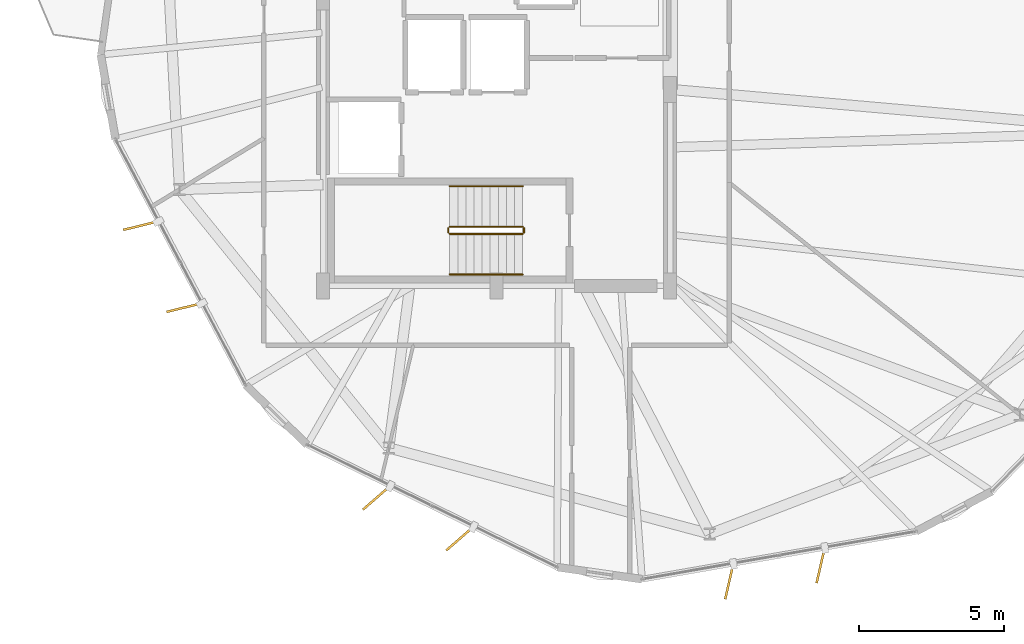
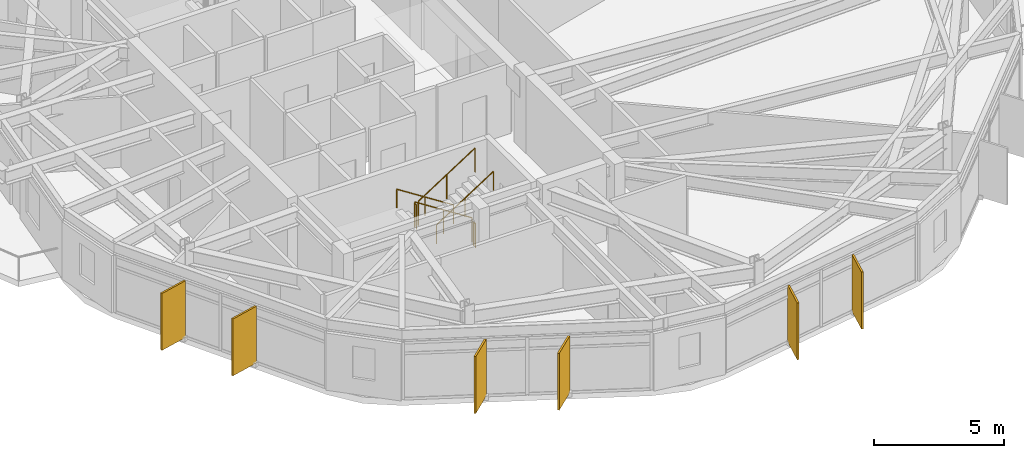
# One storey, part 26 of 28: 6 railings, 6 shading devices.
"""IFC4 building model written with IfcOpenShell, lengths in metres."""

from ifc_helpers import new_model, si_unit, direction, frame, origin, origin_2d, place, context, subcontext, project, spatial, rectangle, circle, extrude, material, layer, layer_set, type_object, element, save


model = new_model("IFC4")

# Units and contexts
model_context = context("Model", 3, precision=1e-05, world=origin(), true_north=direction((0.0, 1.0)))
body_context = subcontext(model_context, "Body", "Model", "MODEL_VIEW")
ifc_project = project(units=[si_unit("LENGTHUNIT", "METRE"), si_unit("AREAUNIT", "SQUARE_METRE"), si_unit("VOLUMEUNIT", "CUBIC_METRE"), si_unit("PLANEANGLEUNIT", "RADIAN"), si_unit("MASSUNIT", "GRAM", prefix="KILO")], contexts=[model_context])

# Site, building, storey
site_placement = place(None, origin())
site = spatial("IfcSite", under=ifc_project, at=site_placement, CompositionType="ELEMENT")
building_placement = place(site_placement, origin())
building = spatial("IfcBuilding", under=site, at=building_placement, Name="Soratama Intermodal Tower", CompositionType="ELEMENT")
storey_placement = place(building_placement, frame((0.0, 0.0, 201.39990234375)))
storey = spatial("IfcBuildingStorey", under=building, at=storey_placement, Name="L50", CompositionType="ELEMENT", Elevation=201.39990234375)

# Railings
ifc_material_1 = material(Name="Painted steel stair guardrail", Category="steel")
railing_type_1 = type_object("IfcRailingType", Name="RL-STAIR-GUARD", PredefinedType="GUARDRAIL", material=ifc_material_1)
railing_1_placement = place(storey_placement, frame((39.5, 17.050048828125, 0.18017578125)))
element("IfcRailing", 1, at=railing_1_placement, inside=storey, type_object=railing_type_1, Name="L50 ST-1 stair guard 1", PredefinedType="GUARDRAIL", context=body_context, shape_type="SweptSolid", body=[
    extrude(circle(Radius=0.02392578125, at=origin_2d()), frame((0.0, 0.0, 1.1259765625), z_axis=(-0.841199657755, 0.0, 0.540724639528), x_axis=(0.0, -1.0, 0.0)), (0.0, 0.0, 1.0), 2.995849609375),
    extrude(circle(Radius=0.02099609375, at=origin_2d()), origin(), (0.0, 0.0, 1.0), 1.101806640625),
    extrude(circle(Radius=0.02099609375, at=origin_2d()), frame((-1.260009765625, 0.0, 0.81005859375)), (0.0, 0.0, 1.0), 1.101806640625),
    extrude(circle(Radius=0.02099609375, at=origin_2d()), frame((-2.52001953125, 0.0, 1.619873046875)), (0.0, 0.0, 1.0), 1.101806640625),
])
railing_2_placement = place(storey_placement, frame((36.929931640625, 17.0, 1.800048828125)))
element("IfcRailing", 2, at=railing_2_placement, inside=storey, type_object=railing_type_1, Name="L50 ST-1 stair guard 2", PredefinedType="GUARDRAIL", context=body_context, shape_type="SweptSolid", body=[
    extrude(circle(Radius=0.02392578125, at=origin_2d()), frame((0.0, 0.0, 1.1259765625), z_axis=(0.0, -1.0, 0.0), x_axis=(1.0, 0.0, 0.0)), (0.0, 0.0, 1.0), 0.14990234375),
    extrude(circle(Radius=0.02099609375, at=origin_2d()), origin(), (0.0, 0.0, 1.0), 1.101806640625),
    extrude(circle(Radius=0.02099609375, at=origin_2d()), frame((0.0, -0.14990234375, 0.0)), (0.0, 0.0, 1.0), 1.101806640625),
])
railing_3_placement = place(storey_placement, frame((36.97998046875, 16.800048828125, 1.97998046875)))
element("IfcRailing", 3, at=railing_3_placement, inside=storey, type_object=railing_type_1, Name="L50 ST-1 stair guard 3", PredefinedType="GUARDRAIL", context=body_context, shape_type="SweptSolid", body=[
    extrude(circle(Radius=0.02392578125, at=origin_2d()), frame((0.0, 0.0, 1.1259765625), z_axis=(0.841162588446, 0.0, 0.540782303519), x_axis=(0.0, 1.0, 0.0)), (0.0, 0.0, 1.0), 2.995849609375),
    extrude(circle(Radius=0.02099609375, at=origin_2d()), origin(), (0.0, 0.0, 1.0), 1.101806640625),
    extrude(circle(Radius=0.02099609375, at=origin_2d()), frame((1.260009765625, 0.0, 0.81005859375)), (0.0, 0.0, 1.0), 1.101806640625),
    extrude(circle(Radius=0.02099609375, at=origin_2d()), frame((2.52001953125, 0.0, 1.6201171875)), (0.0, 0.0, 1.0), 1.101806640625),
])
railing_4_placement = place(storey_placement, frame((39.550048828125, 17.0, 0.0)))
element("IfcRailing", 4, at=railing_4_placement, inside=storey, type_object=railing_type_1, Name="L50 ST-1 stair guard 4", PredefinedType="GUARDRAIL", context=body_context, shape_type="SweptSolid", body=[
    extrude(circle(Radius=0.02392578125, at=origin_2d()), frame((0.0, 0.0, 1.1259765625), z_axis=(0.0, -1.0, 0.0), x_axis=(1.0, 0.0, 0.0)), (0.0, 0.0, 1.0), 0.14990234375),
    extrude(circle(Radius=0.02099609375, at=origin_2d()), origin(), (0.0, 0.0, 1.0), 1.101806640625),
    extrude(circle(Radius=0.02099609375, at=origin_2d()), frame((0.0, -0.14990234375, 0.0)), (0.0, 0.0, 1.0), 1.101806640625),
])
ifc_material_2 = material(Name="Brushed stainless steel handrail", Category="steel")
railing_type_2 = type_object("IfcRailingType", Name="RL-STAIR-HAND", PredefinedType="HANDRAIL", material=ifc_material_2)
railing_5_placement = place(storey_placement, frame((39.5, 18.449951171875, 0.18017578125)))
element("IfcRailing", 5, at=railing_5_placement, inside=storey, type_object=railing_type_2, Name="L50 ST-1 stair handrail 1", PredefinedType="HANDRAIL", context=body_context, shape_type="SweptSolid", body=[
    extrude(circle(Radius=0.02392578125, at=origin_2d()), frame((0.0, 0.0, 0.8759765625), z_axis=(-0.841199657755, 0.0, 0.540724639528), x_axis=(0.0, -1.0, 0.0)), (0.0, 0.0, 1.0), 2.995849609375),
    extrude(circle(Radius=0.02099609375, at=origin_2d()), origin(), (0.0, 0.0, 1.0), 0.851806640625),
    extrude(circle(Radius=0.02099609375, at=origin_2d()), frame((-1.260009765625, 0.0, 0.81005859375)), (0.0, 0.0, 1.0), 0.851806640625),
    extrude(circle(Radius=0.02099609375, at=origin_2d()), frame((-2.52001953125, 0.0, 1.619873046875)), (0.0, 0.0, 1.0), 0.851806640625),
])
railing_6_placement = place(storey_placement, frame((36.97998046875, 15.39990234375, 1.97998046875)))
element("IfcRailing", 6, at=railing_6_placement, inside=storey, type_object=railing_type_2, Name="L50 ST-1 stair handrail 2", PredefinedType="HANDRAIL", context=body_context, shape_type="SweptSolid", body=[
    extrude(circle(Radius=0.02392578125, at=origin_2d()), frame((0.0, 0.0, 0.8759765625), z_axis=(0.841162588446, 0.0, 0.540782303519), x_axis=(0.0, 1.0, 0.0)), (0.0, 0.0, 1.0), 2.995849609375),
    extrude(circle(Radius=0.02099609375, at=origin_2d()), origin(), (0.0, 0.0, 1.0), 0.851806640625),
    extrude(circle(Radius=0.02099609375, at=origin_2d()), frame((1.260009765625, 0.0, 0.81005859375)), (0.0, 0.0, 1.0), 0.851806640625),
    extrude(circle(Radius=0.02099609375, at=origin_2d()), frame((2.52001953125, 0.0, 1.6201171875)), (0.0, 0.0, 1.0), 0.851806640625),
])

# Shading devices
ifc_material_3 = material(Name="Champagne anodised aluminium solar fin", Category="aluminium")
ifc_layer = layer(ifc_material_3, 0.080078125)
ifc_layer_set = layer_set([ifc_layer], Name="Champagne anodised aluminium solar fin")
shading_device_type = type_object("IfcShadingDeviceType", Name="SH-FIN-1250", PredefinedType="USERDEFINED", material=ifc_layer_set)
for number, where, z_axis, x_axis, name in (
    (7, (26.29248046875, 17.087646484375, 0.02001953125), (0.0, 0.0, 1.0), (-0.97117589706, -0.23836395904, 0.0), "L50 Solar Fin F05-1"),
    (8, (27.793701171875, 14.252685546875, 0.02001953125), (0.0, 0.0, 1.0), (-0.97117589706, -0.23836395904, 0.0), "L50 Solar Fin F05-2"),
    (9, (34.446044921875, 7.671630859375, 0.02001953125), (0.0, 0.0, 1.0), (-0.753907489863, -0.656980590831, 0.0), "L50 Solar Fin F06-1"),
    (10, (37.326904296875, 6.26025390625, 0.02001953125), (0.0, 0.0, 1.0), (-0.753907489863, -0.656980590831, 0.0), "L50 Solar Fin F06-2"),
    (11, (46.64697265625, 4.777587890625, 0.02001953125), (0.0, 0.0, 1.0), (-0.223760469153, -0.974644167091, 0.0), "L50 Solar Fin F07-1"),
    (12, (49.807373046875, 5.3291015625, 0.02001953125), (0.0, 0.0, 1.0), (-0.223760469153, -0.974644167091, 0.0), "L50 Solar Fin F07-2"),
):
    element("IfcShadingDevice", number, at=place(storey_placement, frame(where, z_axis=z_axis, x_axis=x_axis)), inside=storey, type_object=shading_device_type, Name=name, ObjectType="FIN", PredefinedType="USERDEFINED", context=body_context, shape_type="SweptSolid", body=[
        extrude(rectangle(XDim=1.25, YDim=0.080078125, at=origin_2d()), origin(), (0.0, 0.0, 1.0), 2.658935546875),
    ])

save(model, "model.ifc")
